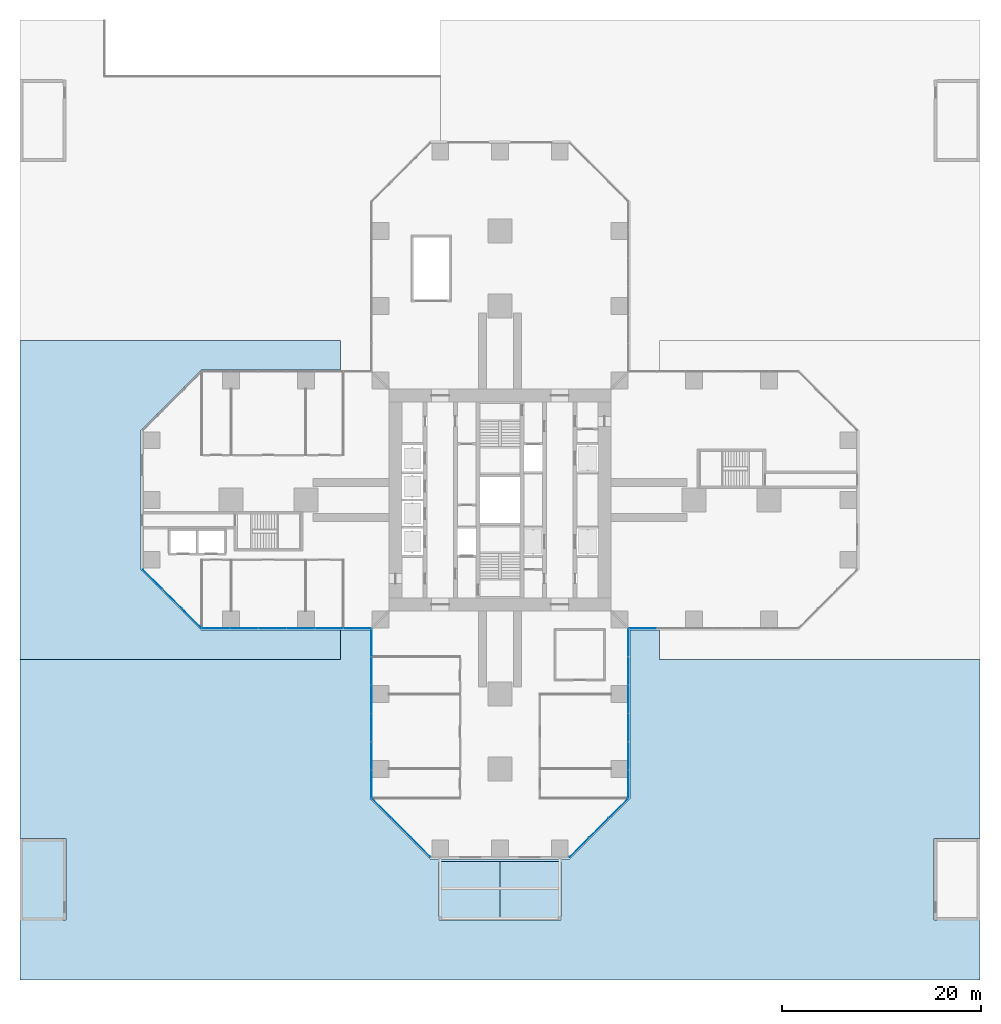
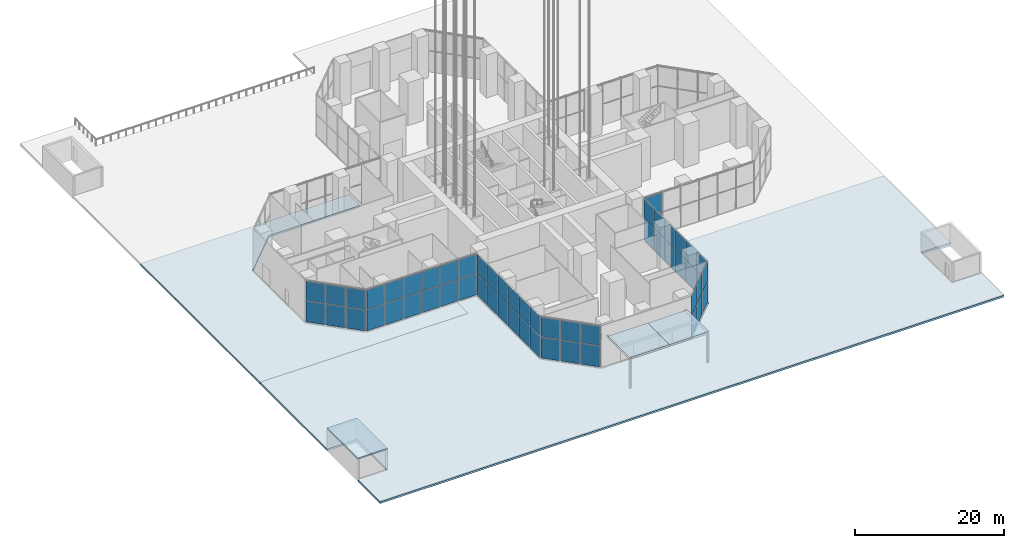
# One storey, part 13 of 43: 58 plates, 3 slabs, 7 elements without a shape of their own.
"""IFC4 building model written with IfcOpenShell, lengths in metres."""

import ifcopenshell
import ifcopenshell.guid

model = None  # the IFC model being written
_history = None  # IfcOwnerHistory: only IFC2X3 demands one
_inside = {}  # id of a spatial element -> (the spatial element, [elements in it])
_under = {}  # id of a project, library or spatial element -> (it, [spatial elements below it])
_declared = {}  # id of a project -> (the project, [libraries it declares])
_typed = {}  # id of a type object -> (the type object, [elements of that type])
_made_of = {}  # id of a material, layer set ... -> (it, [elements and type objects made of it])


def new_model(schema):
    """Start an empty IFC model of exactly this schema.

    Asked for "IFC4X3", IfcOpenShell would pick the latest addendum, in which some entities
    have other attributes; the version numbers below select the first issue.
    IFC2X3 requires an IfcOwnerHistory on every rooted entity: one is made here for all.
    """
    global model, _history
    if schema == "IFC4X3":
        model = ifcopenshell.file(schema_version=(4, 3, 0, 0))
    else:
        model = ifcopenshell.file(schema=schema)
    _inside.clear()
    _under.clear()
    _declared.clear()
    _typed.clear()
    _made_of.clear()
    _history = None
    if model.schema == "IFC2X3":
        org = make("IfcOrganization", Name="unknown")
        user = make(
            "IfcPersonAndOrganization",
            ThePerson=make("IfcPerson", FamilyName="unknown"),
            TheOrganization=org,
        )
        app = make(
            "IfcApplication",
            ApplicationDeveloper=org,
            Version="unknown",
            ApplicationFullName="unknown",
            ApplicationIdentifier="unknown",
        )
        _history = make(
            "IfcOwnerHistory",
            OwningUser=user,
            OwningApplication=app,
            ChangeAction="ADDED",
            CreationDate=0,
        )
    return model


def make(cls, **values):
    """One entity of the class cls with the attributes given. An attribute that is None is left unset."""
    return model.create_entity(
        cls, **{name: value for name, value in values.items() if value is not None}
    )


def rooted(cls, **values):
    """An entity with a GlobalId (a new one), such as an element, a storey or a relation."""
    return make(cls, GlobalId=ifcopenshell.guid.new(), OwnerHistory=_history, **values)


def si_unit(unit_type, name, prefix=None):
    """IfcSIUnit, for example si_unit("LENGTHUNIT", "METRE", prefix="MILLI")."""
    return make("IfcSIUnit", UnitType=unit_type, Prefix=prefix, Name=name)


def assignment(units):
    """IfcUnitAssignment: the units of a project."""
    return None if units is None else make("IfcUnitAssignment", Units=units)


def point(xyz):
    """IfcCartesianPoint."""
    return None if xyz is None else make("IfcCartesianPoint", Coordinates=xyz)


def direction(xyz):
    """IfcDirection."""
    return None if xyz is None else make("IfcDirection", DirectionRatios=xyz)


def frame(location, z_axis=None, x_axis=None):
    """IfcAxis2Placement3D, a coordinate frame: its origin and axes. An axis left out is left unset."""
    return make(
        "IfcAxis2Placement3D",
        Location=point(location),
        Axis=direction(z_axis),
        RefDirection=direction(x_axis),
    )


def frame_2d(location, x_axis=None):
    """IfcAxis2Placement2D, a coordinate frame in the plane: its origin and x axis."""
    return make(
        "IfcAxis2Placement2D", Location=point(location), RefDirection=direction(x_axis)
    )


def origin():
    """The frame at (0, 0, 0) with its axes left unset."""
    return frame((0.0, 0.0, 0.0))


def origin_2d():
    """The frame at (0, 0) in the plane with its x axis left unset."""
    return frame_2d((0.0, 0.0))


def place(relative_to, where):
    """IfcLocalPlacement: puts the frame where relative to a parent placement (None: the world)."""
    return make(
        "IfcLocalPlacement", PlacementRelTo=relative_to, RelativePlacement=where
    )


def context(
    kind, dimensions, precision=None, world=None, true_north=None, identifier=None
):
    """IfcGeometricRepresentationContext, for example the 3D "Model" context."""
    return make(
        "IfcGeometricRepresentationContext",
        ContextIdentifier=identifier,
        ContextType=kind,
        CoordinateSpaceDimension=dimensions,
        Precision=precision,
        WorldCoordinateSystem=world,
        TrueNorth=true_north,
    )


def subcontext(parent, identifier, kind, view, scale=None):
    """IfcGeometricRepresentationSubContext, for example "Body" below "Model"."""
    return make(
        "IfcGeometricRepresentationSubContext",
        ContextIdentifier=identifier,
        ContextType=kind,
        ParentContext=parent,
        TargetScale=scale,
        TargetView=view,
    )


def project(units=None, contexts=None):
    """IfcProject with its units and contexts."""
    return rooted(
        "IfcProject",
        Name="project",
        RepresentationContexts=contexts,
        UnitsInContext=assignment(units),
    )


def spatial(cls, under=None, at=None, **own):
    """A site, building, storey or space (cls), placed at a placement, below another one or the project."""
    s = rooted(cls, ObjectPlacement=at, **own)
    if under is not None:
        _under.setdefault(under.id(), (under, []))[1].append(s)
    return s


def polyline(points):
    """IfcPolyline through the points."""
    return make("IfcPolyline", Points=[point(p) for p in points])


def profile(cls, at=None, kind="AREA", **sizes):
    """A parametric profile (cls). Its sizes go by their IFC names, for example OverallWidth=200.0."""
    return make(cls, ProfileType=kind, Position=at, **sizes)


def rectangle(**sizes):
    """IfcRectangleProfileDef."""
    return profile("IfcRectangleProfileDef", **sizes)


def outline(outer, holes=None, kind="AREA"):
    """IfcArbitraryClosedProfileDef: a profile drawn as a closed curve; with holes, ...WithVoids."""
    if holes is None:
        return make("IfcArbitraryClosedProfileDef", ProfileType=kind, OuterCurve=outer)
    return make(
        "IfcArbitraryProfileDefWithVoids",
        ProfileType=kind,
        OuterCurve=outer,
        InnerCurves=holes,
    )


def extrude(swept, where, along, depth):
    """IfcExtrudedAreaSolid: the profile swept, set in the frame where, extruded along a direction by depth."""
    return make(
        "IfcExtrudedAreaSolid",
        SweptArea=swept,
        Position=where,
        ExtrudedDirection=direction(along),
        Depth=depth,
    )


def shape(context_of_items, identifier, shape_type, items):
    """IfcShapeRepresentation: the items that make up one representation, for example the "Body"."""
    return make(
        "IfcShapeRepresentation",
        ContextOfItems=context_of_items,
        RepresentationIdentifier=identifier,
        RepresentationType=shape_type,
        Items=items,
    )


def material(Name=None, Category=None):
    """IfcMaterial."""
    return make("IfcMaterial", Name=Name, Category=Category)


def layer(
    of_material, thickness, ventilated=None, Name=None, Category=None, Priority=None
):
    """IfcMaterialLayer: one layer of a wall or slab, of a material (None: an air gap)."""
    return make(
        "IfcMaterialLayer",
        Material=of_material,
        LayerThickness=thickness,
        IsVentilated=ventilated,
        Name=Name,
        Category=Category,
        Priority=Priority,
    )


def layer_set(layers, Name=None):
    """IfcMaterialLayerSet."""
    return make("IfcMaterialLayerSet", MaterialLayers=layers, LayerSetName=Name)


def made_of(thing, what):
    """Note that an element or type object is made of a material, layer set ...; save() writes the relation."""
    if what is not None:
        _made_of.setdefault(what.id(), (what, []))[1].append(thing)
    return thing


def type_object(cls, material=None, **own):
    """A type object (cls), such as IfcWallType, which elements share."""
    return made_of(rooted(cls, **own), material)


def element(
    cls,
    number,
    at=None,
    inside=None,
    cuts=None,
    type_object=None,
    material=None,
    context=None,
    identifier="Body",
    shape_type=None,
    held_by="IfcProductDefinitionShape",
    body=None,
    shapes=None,
    **own,
):
    """One element of the class cls, such as IfcWall. Its Tag is "e" and its number.

    at: its placement. inside: the storey or other place that contains it. cuts: it is an
    opening in that element (IfcRelVoidsElement). A single representation is given by context,
    identifier, shape_type and body (its items); several are given by shapes. held_by: the class
    of the entity that holds the representations. save() writes the other relations.
    """
    e = rooted(cls, Tag="e%d" % number, ObjectPlacement=at, **own)
    if body is not None:
        shapes = [shape(context, identifier, shape_type, body)]
    if shapes is not None:
        e.Representation = make(held_by, Representations=shapes)
    if inside is not None:
        _inside.setdefault(inside.id(), (inside, []))[1].append(e)
    if cuts is not None:
        rooted(
            "IfcRelVoidsElement", RelatingBuildingElement=cuts, RelatedOpeningElement=e
        )
    if type_object is not None:
        _typed.setdefault(type_object.id(), (type_object, []))[1].append(e)
    return made_of(e, material)


def aggregate(whole, parts):
    """IfcRelAggregates: a whole, such as a stair, and the parts it consists of."""
    return rooted("IfcRelAggregates", RelatingObject=whole, RelatedObjects=parts)


def save(model, path):
    """Write the relations noted so far, then the file.

    IfcRelAggregates (storeys below a building ...), IfcRelContainedInSpatialStructure (elements
    in a storey), IfcRelDefinesByType, IfcRelAssociatesMaterial and IfcRelDeclares: one each for
    every whole, place, type object, material and project.
    """
    for whole, parts in _under.values():
        aggregate(whole, parts)
    for where, things in _inside.values():
        rooted(
            "IfcRelContainedInSpatialStructure",
            RelatedElements=things,
            RelatingStructure=where,
        )
    for kind, things in _typed.values():
        rooted("IfcRelDefinesByType", RelatedObjects=things, RelatingType=kind)
    for what, things in _made_of.values():
        rooted("IfcRelAssociatesMaterial", RelatedObjects=things, RelatingMaterial=what)
    for by, libraries in _declared.values():
        rooted("IfcRelDeclares", RelatingContext=by, RelatedDefinitions=libraries)
    model.write(path)


model = new_model("IFC4")

# Units and contexts
model_context = context("Model", 3, precision=1e-05, world=origin(), true_north=direction((0.0, 1.0)))
body_context = subcontext(model_context, "Body", "Model", "MODEL_VIEW")
ifc_project = project(units=[si_unit("LENGTHUNIT", "METRE"), si_unit("AREAUNIT", "SQUARE_METRE"), si_unit("VOLUMEUNIT", "CUBIC_METRE"), si_unit("PLANEANGLEUNIT", "RADIAN"), si_unit("MASSUNIT", "GRAM", prefix="KILO")], contexts=[model_context])

# Site, building, storey
site_placement = place(None, origin())
site = spatial("IfcSite", under=ifc_project, at=site_placement, CompositionType="ELEMENT")
building_placement = place(site_placement, origin())
building = spatial("IfcBuilding", under=site, at=building_placement, Name="Mizan Broadcast Tower", CompositionType="ELEMENT")
storey_placement = place(building_placement, origin())
storey = spatial("IfcBuildingStorey", under=building, at=storey_placement, Name="L00", CompositionType="ELEMENT", Elevation=0.0)

# Plates
ifc_material_1 = material(Name="Laminated glass", Category="glass")
ifc_layer_1 = layer(ifc_material_1, 0.030029296875)
ifc_layer_set_1 = layer_set([ifc_layer_1], Name="Laminated glass")
plate_type_1 = type_object("IfcPlateType", Name="CANOPY GLASS", PredefinedType="USERDEFINED", material=ifc_layer_set_1)
for number, where, z_axis, x_axis, name in (
    (1, (-3.074951171875, -39.22509765625, 5.0), (0.0, 0.0, 1.0), (1.0, 0.0, 0.0), "Canopy glass 1"),
    (2, (3.074951171875, -39.22509765625, 5.0), (0.0, 0.0, 1.0), (1.0, 0.0, 0.0), "Canopy glass 2"),
):
    element("IfcPlate", number, at=place(storey_placement, frame(where, z_axis=z_axis, x_axis=x_axis)), inside=storey, type_object=plate_type_1, Name=name, ObjectType="CANOPY", PredefinedType="USERDEFINED", context=body_context, shape_type="SweptSolid", body=[
        extrude(rectangle(XDim=6.14990234375, YDim=5.85009765625, at=origin_2d()), origin(), (0.0, 0.0, 1.0), 0.030029296875),
    ])

# Curtain wall, plates
ifc_material_2 = material(Name="Aluminium framed glazing", Category="aluminium")
curtain_wall_type_1 = type_object("IfcCurtainWallType", Name="PODIUM CURTAIN WALL", PredefinedType="USERDEFINED", material=ifc_material_2)
curtain_wall_1_placement = place(storey_placement, origin())
curtain_wall_1 = element("IfcCurtainWall", 3, at=curtain_wall_1_placement, inside=storey, type_object=curtain_wall_type_1, Name="Podium curtain wall L00 E side", ObjectType="PODIUM CURTAIN WALL", PredefinedType="USERDEFINED")
ifc_material_3 = material(Name="Double glazing, clear laminated", Category="glass")
ifc_layer_2 = layer(ifc_material_3, 0.031982421875)
ifc_layer_set_2 = layer_set([ifc_layer_2], Name="Double glazing, clear laminated")
plate_type_2 = type_object("IfcPlateType", Name="PODIUM GLAZING UNIT", PredefinedType="CURTAIN_PANEL", material=ifc_layer_set_2)
plate_1_placement = place(storey_placement, frame((14.336669921875, -12.89990234375, 0.0), z_axis=(0.0, 0.0, 1.0), x_axis=(1.0, 0.0, 0.0)))
plate_1 = element("IfcPlate", 4, at=plate_1_placement, type_object=plate_type_2, Name="Podium curtain wall L00 E side panel 1.1", PredefinedType="CURTAIN_PANEL", context=body_context, shape_type="SweptSolid", body=[
    extrude(rectangle(XDim=2.753173828125, YDim=0.031982421875, at=origin_2d()), origin(), (0.0, 0.0, 1.0), 3.469970703125),
])
plate_2_placement = place(storey_placement, frame((14.336669921875, -12.89990234375, 3.5302734375), z_axis=(0.0, 0.0, 1.0), x_axis=(1.0, 0.0, 0.0)))
plate_2 = element("IfcPlate", 5, at=plate_2_placement, type_object=plate_type_2, Name="Podium curtain wall L00 E side panel 1.2", PredefinedType="CURTAIN_PANEL", context=body_context, shape_type="SweptSolid", body=[
    extrude(rectangle(XDim=2.753173828125, YDim=0.031982421875, at=origin_2d()), origin(), (0.0, 0.0, 1.0), 3.159912109375),
])
aggregate(curtain_wall_1, [plate_1, plate_2])

curtain_wall_2_placement = place(storey_placement, origin())
curtain_wall_2 = element("IfcCurtainWall", 6, at=curtain_wall_2_placement, inside=storey, type_object=curtain_wall_type_1, Name="Podium curtain wall L00 W chamfer", ObjectType="PODIUM CURTAIN WALL", PredefinedType="USERDEFINED")
plate_3_placement = place(storey_placement, frame((-34.899169921875, -7.95947265625, 0.0), z_axis=(0.0, 0.0, 1.0), x_axis=(0.707106781187, -0.707106781187, 0.0)))
plate_3 = element("IfcPlate", 7, at=plate_3_placement, type_object=plate_type_2, Name="Podium curtain wall L00 W chamfer panel 1.1", PredefinedType="CURTAIN_PANEL", context=body_context, shape_type="SweptSolid", body=[
    extrude(rectangle(XDim=2.710693359375, YDim=0.031982421875, at=origin_2d()), origin(), (0.0, 0.0, 1.0), 3.469970703125),
])
plate_4_placement = place(storey_placement, frame((-34.899169921875, -7.95947265625, 3.5302734375), z_axis=(0.0, 0.0, 1.0), x_axis=(0.707106781187, -0.707106781187, 0.0)))
plate_4 = element("IfcPlate", 8, at=plate_4_placement, type_object=plate_type_2, Name="Podium curtain wall L00 W chamfer panel 1.2", PredefinedType="CURTAIN_PANEL", context=body_context, shape_type="SweptSolid", body=[
    extrude(rectangle(XDim=2.710693359375, YDim=0.031982421875, at=origin_2d()), origin(), (0.0, 0.0, 1.0), 3.159912109375),
])
plate_5_placement = place(storey_placement, frame((-32.92919921875, -9.92919921875, 0.0), z_axis=(0.0, 0.0, 1.0), x_axis=(0.707106781187, -0.707106781187, 0.0)))
plate_5 = element("IfcPlate", 9, at=plate_5_placement, type_object=plate_type_2, Name="Podium curtain wall L00 W chamfer panel 2.1", PredefinedType="CURTAIN_PANEL", context=body_context, shape_type="SweptSolid", body=[
    extrude(rectangle(XDim=2.74072265625, YDim=0.031982421875, at=origin_2d()), origin(), (0.0, 0.0, 1.0), 3.469970703125),
])
plate_6_placement = place(storey_placement, frame((-32.92919921875, -9.92919921875, 3.5302734375), z_axis=(0.0, 0.0, 1.0), x_axis=(0.707106781187, -0.707106781187, 0.0)))
plate_6 = element("IfcPlate", 10, at=plate_6_placement, type_object=plate_type_2, Name="Podium curtain wall L00 W chamfer panel 2.2", PredefinedType="CURTAIN_PANEL", context=body_context, shape_type="SweptSolid", body=[
    extrude(rectangle(XDim=2.74072265625, YDim=0.031982421875, at=origin_2d()), origin(), (0.0, 0.0, 1.0), 3.159912109375),
])
plate_7_placement = place(storey_placement, frame((-30.95947265625, -11.899169921875, 0.0), z_axis=(0.0, 0.0, 1.0), x_axis=(0.707106781187, -0.707106781187, 0.0)))
plate_7 = element("IfcPlate", 11, at=plate_7_placement, type_object=plate_type_2, Name="Podium curtain wall L00 W chamfer panel 3.1", PredefinedType="CURTAIN_PANEL", context=body_context, shape_type="SweptSolid", body=[
    extrude(rectangle(XDim=2.710693359375, YDim=0.031982421875, at=origin_2d()), origin(), (0.0, 0.0, 1.0), 3.469970703125),
])
plate_8_placement = place(storey_placement, frame((-30.95947265625, -11.899169921875, 3.5302734375), z_axis=(0.0, 0.0, 1.0), x_axis=(0.707106781187, -0.707106781187, 0.0)))
plate_8 = element("IfcPlate", 12, at=plate_8_placement, type_object=plate_type_2, Name="Podium curtain wall L00 W chamfer panel 3.2", PredefinedType="CURTAIN_PANEL", context=body_context, shape_type="SweptSolid", body=[
    extrude(rectangle(XDim=2.710693359375, YDim=0.031982421875, at=origin_2d()), origin(), (0.0, 0.0, 1.0), 3.159912109375),
])
aggregate(curtain_wall_2, [plate_3, plate_4, plate_5, plate_6, plate_7, plate_8])

curtain_wall_3_placement = place(storey_placement, origin())
curtain_wall_3 = element("IfcCurtainWall", 13, at=curtain_wall_3_placement, inside=storey, type_object=curtain_wall_type_1, Name="Podium curtain wall L00 W side", ObjectType="PODIUM CURTAIN WALL", PredefinedType="USERDEFINED")
plate_9_placement = place(storey_placement, frame((-28.52197265625, -12.89990234375, 0.0), z_axis=(0.0, 0.0, 1.0), x_axis=(1.0, 0.0, 0.0)))
plate_9 = element("IfcPlate", 14, at=plate_9_placement, type_object=plate_type_2, Name="Podium curtain wall L00 W side panel 1.1", PredefinedType="CURTAIN_PANEL", context=body_context, shape_type="SweptSolid", body=[
    extrude(rectangle(XDim=2.753173828125, YDim=0.031982421875, at=origin_2d()), origin(), (0.0, 0.0, 1.0), 3.469970703125),
])
plate_10_placement = place(storey_placement, frame((-28.52197265625, -12.89990234375, 3.5302734375), z_axis=(0.0, 0.0, 1.0), x_axis=(1.0, 0.0, 0.0)))
plate_10 = element("IfcPlate", 15, at=plate_10_placement, type_object=plate_type_2, Name="Podium curtain wall L00 W side panel 1.2", PredefinedType="CURTAIN_PANEL", context=body_context, shape_type="SweptSolid", body=[
    extrude(rectangle(XDim=2.753173828125, YDim=0.031982421875, at=origin_2d()), origin(), (0.0, 0.0, 1.0), 3.159912109375),
])
plate_11_placement = place(storey_placement, frame((-25.69384765625, -12.89990234375, 0.0), z_axis=(0.0, 0.0, 1.0), x_axis=(1.0, 0.0, 0.0)))
plate_11 = element("IfcPlate", 16, at=plate_11_placement, type_object=plate_type_2, Name="Podium curtain wall L00 W side panel 2.1", PredefinedType="CURTAIN_PANEL", context=body_context, shape_type="SweptSolid", body=[
    extrude(rectangle(XDim=2.783203125, YDim=0.031982421875, at=origin_2d()), origin(), (0.0, 0.0, 1.0), 3.469970703125),
])
plate_12_placement = place(storey_placement, frame((-25.69384765625, -12.89990234375, 3.5302734375), z_axis=(0.0, 0.0, 1.0), x_axis=(1.0, 0.0, 0.0)))
plate_12 = element("IfcPlate", 17, at=plate_12_placement, type_object=plate_type_2, Name="Podium curtain wall L00 W side panel 2.2", PredefinedType="CURTAIN_PANEL", context=body_context, shape_type="SweptSolid", body=[
    extrude(rectangle(XDim=2.783203125, YDim=0.031982421875, at=origin_2d()), origin(), (0.0, 0.0, 1.0), 3.159912109375),
])
plate_13_placement = place(storey_placement, frame((-22.850830078125, -12.89990234375, 0.0), z_axis=(0.0, 0.0, 1.0), x_axis=(1.0, 0.0, 0.0)))
plate_13 = element("IfcPlate", 18, at=plate_13_placement, type_object=plate_type_2, Name="Podium curtain wall L00 W side panel 3.1", PredefinedType="CURTAIN_PANEL", context=body_context, shape_type="SweptSolid", body=[
    extrude(rectangle(XDim=2.783203125, YDim=0.031982421875, at=origin_2d()), origin(), (0.0, 0.0, 1.0), 3.469970703125),
])
plate_14_placement = place(storey_placement, frame((-22.850830078125, -12.89990234375, 3.5302734375), z_axis=(0.0, 0.0, 1.0), x_axis=(1.0, 0.0, 0.0)))
plate_14 = element("IfcPlate", 19, at=plate_14_placement, type_object=plate_type_2, Name="Podium curtain wall L00 W side panel 3.2", PredefinedType="CURTAIN_PANEL", context=body_context, shape_type="SweptSolid", body=[
    extrude(rectangle(XDim=2.783203125, YDim=0.031982421875, at=origin_2d()), origin(), (0.0, 0.0, 1.0), 3.159912109375),
])
plate_15_placement = place(storey_placement, frame((-20.0078125, -12.89990234375, 0.0), z_axis=(0.0, 0.0, 1.0), x_axis=(1.0, 0.0, 0.0)))
plate_15 = element("IfcPlate", 20, at=plate_15_placement, type_object=plate_type_2, Name="Podium curtain wall L00 W side panel 4.1", PredefinedType="CURTAIN_PANEL", context=body_context, shape_type="SweptSolid", body=[
    extrude(rectangle(XDim=2.783203125, YDim=0.031982421875, at=origin_2d()), origin(), (0.0, 0.0, 1.0), 3.469970703125),
])
plate_16_placement = place(storey_placement, frame((-20.0078125, -12.89990234375, 3.5302734375), z_axis=(0.0, 0.0, 1.0), x_axis=(1.0, 0.0, 0.0)))
plate_16 = element("IfcPlate", 21, at=plate_16_placement, type_object=plate_type_2, Name="Podium curtain wall L00 W side panel 4.2", PredefinedType="CURTAIN_PANEL", context=body_context, shape_type="SweptSolid", body=[
    extrude(rectangle(XDim=2.783203125, YDim=0.031982421875, at=origin_2d()), origin(), (0.0, 0.0, 1.0), 3.159912109375),
])
plate_17_placement = place(storey_placement, frame((-17.16455078125, -12.89990234375, 0.0), z_axis=(0.0, 0.0, 1.0), x_axis=(1.0, 0.0, 0.0)))
plate_17 = element("IfcPlate", 22, at=plate_17_placement, type_object=plate_type_2, Name="Podium curtain wall L00 W side panel 5.1", PredefinedType="CURTAIN_PANEL", context=body_context, shape_type="SweptSolid", body=[
    extrude(rectangle(XDim=2.783203125, YDim=0.031982421875, at=origin_2d()), origin(), (0.0, 0.0, 1.0), 3.469970703125),
])
plate_18_placement = place(storey_placement, frame((-17.16455078125, -12.89990234375, 3.5302734375), z_axis=(0.0, 0.0, 1.0), x_axis=(1.0, 0.0, 0.0)))
plate_18 = element("IfcPlate", 23, at=plate_18_placement, type_object=plate_type_2, Name="Podium curtain wall L00 W side panel 5.2", PredefinedType="CURTAIN_PANEL", context=body_context, shape_type="SweptSolid", body=[
    extrude(rectangle(XDim=2.783203125, YDim=0.031982421875, at=origin_2d()), origin(), (0.0, 0.0, 1.0), 3.159912109375),
])
plate_19_placement = place(storey_placement, frame((-14.336669921875, -12.89990234375, 0.0), z_axis=(0.0, 0.0, 1.0), x_axis=(1.0, 0.0, 0.0)))
plate_19 = element("IfcPlate", 24, at=plate_19_placement, type_object=plate_type_2, Name="Podium curtain wall L00 W side panel 6.1", PredefinedType="CURTAIN_PANEL", context=body_context, shape_type="SweptSolid", body=[
    extrude(rectangle(XDim=2.753173828125, YDim=0.031982421875, at=origin_2d()), origin(), (0.0, 0.0, 1.0), 3.469970703125),
])
plate_20_placement = place(storey_placement, frame((-14.336669921875, -12.89990234375, 3.5302734375), z_axis=(0.0, 0.0, 1.0), x_axis=(1.0, 0.0, 0.0)))
plate_20 = element("IfcPlate", 25, at=plate_20_placement, type_object=plate_type_2, Name="Podium curtain wall L00 W side panel 6.2", PredefinedType="CURTAIN_PANEL", context=body_context, shape_type="SweptSolid", body=[
    extrude(rectangle(XDim=2.753173828125, YDim=0.031982421875, at=origin_2d()), origin(), (0.0, 0.0, 1.0), 3.159912109375),
])
aggregate(curtain_wall_3, [plate_9, plate_10, plate_11, plate_12, plate_13, plate_14, plate_15, plate_16, plate_17, plate_18, plate_19, plate_20])

ifc_material_4 = material(Name="Aluminium framed glazing", Category="aluminium")
curtain_wall_type_2 = type_object("IfcCurtainWallType", Name="ENTRANCE CW", PredefinedType="USERDEFINED", material=ifc_material_4)
curtain_wall_4_placement = place(storey_placement, origin())
curtain_wall_4 = element("IfcCurtainWall", 26, at=curtain_wall_4_placement, inside=storey, type_object=curtain_wall_type_2, Name="Entrance cw L00 S side", ObjectType="ENTRANCE CW", PredefinedType="USERDEFINED")
plate_21_placement = place(storey_placement, frame((-12.89990234375, -14.336669921875, 0.0), z_axis=(0.0, 0.0, 1.0), x_axis=(0.0, -1.0, 0.0)))
plate_21 = element("IfcPlate", 27, at=plate_21_placement, type_object=plate_type_2, Name="Entrance cw L00 S side panel 1.1", PredefinedType="CURTAIN_PANEL", context=body_context, shape_type="SweptSolid", body=[
    extrude(rectangle(XDim=2.753173828125, YDim=0.031982421875, at=origin_2d()), origin(), (0.0, 0.0, 1.0), 3.469970703125),
])
plate_22_placement = place(storey_placement, frame((-12.89990234375, -14.336669921875, 3.5302734375), z_axis=(0.0, 0.0, 1.0), x_axis=(0.0, -1.0, 0.0)))
plate_22 = element("IfcPlate", 28, at=plate_22_placement, type_object=plate_type_2, Name="Entrance cw L00 S side panel 1.2", PredefinedType="CURTAIN_PANEL", context=body_context, shape_type="SweptSolid", body=[
    extrude(rectangle(XDim=2.753173828125, YDim=0.031982421875, at=origin_2d()), origin(), (0.0, 0.0, 1.0), 3.159912109375),
])
plate_23_placement = place(storey_placement, frame((-12.89990234375, -17.16455078125, 0.0), z_axis=(0.0, 0.0, 1.0), x_axis=(0.0, -1.0, 0.0)))
plate_23 = element("IfcPlate", 29, at=plate_23_placement, type_object=plate_type_2, Name="Entrance cw L00 S side panel 2.1", PredefinedType="CURTAIN_PANEL", context=body_context, shape_type="SweptSolid", body=[
    extrude(rectangle(XDim=2.783203125, YDim=0.031982421875, at=origin_2d()), origin(), (0.0, 0.0, 1.0), 3.469970703125),
])
plate_24_placement = place(storey_placement, frame((-12.89990234375, -17.16455078125, 3.5302734375), z_axis=(0.0, 0.0, 1.0), x_axis=(0.0, -1.0, 0.0)))
plate_24 = element("IfcPlate", 30, at=plate_24_placement, type_object=plate_type_2, Name="Entrance cw L00 S side panel 2.2", PredefinedType="CURTAIN_PANEL", context=body_context, shape_type="SweptSolid", body=[
    extrude(rectangle(XDim=2.783203125, YDim=0.031982421875, at=origin_2d()), origin(), (0.0, 0.0, 1.0), 3.159912109375),
])
plate_25_placement = place(storey_placement, frame((-12.89990234375, -20.0078125, 0.0), z_axis=(0.0, 0.0, 1.0), x_axis=(0.0, -1.0, 0.0)))
plate_25 = element("IfcPlate", 31, at=plate_25_placement, type_object=plate_type_2, Name="Entrance cw L00 S side panel 3.1", PredefinedType="CURTAIN_PANEL", context=body_context, shape_type="SweptSolid", body=[
    extrude(rectangle(XDim=2.783203125, YDim=0.031982421875, at=origin_2d()), origin(), (0.0, 0.0, 1.0), 3.469970703125),
])
plate_26_placement = place(storey_placement, frame((-12.89990234375, -20.0078125, 3.5302734375), z_axis=(0.0, 0.0, 1.0), x_axis=(0.0, -1.0, 0.0)))
plate_26 = element("IfcPlate", 32, at=plate_26_placement, type_object=plate_type_2, Name="Entrance cw L00 S side panel 3.2", PredefinedType="CURTAIN_PANEL", context=body_context, shape_type="SweptSolid", body=[
    extrude(rectangle(XDim=2.783203125, YDim=0.031982421875, at=origin_2d()), origin(), (0.0, 0.0, 1.0), 3.159912109375),
])
plate_27_placement = place(storey_placement, frame((-12.89990234375, -22.850830078125, 0.0), z_axis=(0.0, 0.0, 1.0), x_axis=(0.0, -1.0, 0.0)))
plate_27 = element("IfcPlate", 33, at=plate_27_placement, type_object=plate_type_2, Name="Entrance cw L00 S side panel 4.1", PredefinedType="CURTAIN_PANEL", context=body_context, shape_type="SweptSolid", body=[
    extrude(rectangle(XDim=2.783203125, YDim=0.031982421875, at=origin_2d()), origin(), (0.0, 0.0, 1.0), 3.469970703125),
])
plate_28_placement = place(storey_placement, frame((-12.89990234375, -22.850830078125, 3.5302734375), z_axis=(0.0, 0.0, 1.0), x_axis=(0.0, -1.0, 0.0)))
plate_28 = element("IfcPlate", 34, at=plate_28_placement, type_object=plate_type_2, Name="Entrance cw L00 S side panel 4.2", PredefinedType="CURTAIN_PANEL", context=body_context, shape_type="SweptSolid", body=[
    extrude(rectangle(XDim=2.783203125, YDim=0.031982421875, at=origin_2d()), origin(), (0.0, 0.0, 1.0), 3.159912109375),
])
plate_29_placement = place(storey_placement, frame((-12.89990234375, -25.69384765625, 0.0), z_axis=(0.0, 0.0, 1.0), x_axis=(0.0, -1.0, 0.0)))
plate_29 = element("IfcPlate", 35, at=plate_29_placement, type_object=plate_type_2, Name="Entrance cw L00 S side panel 5.1", PredefinedType="CURTAIN_PANEL", context=body_context, shape_type="SweptSolid", body=[
    extrude(rectangle(XDim=2.783203125, YDim=0.031982421875, at=origin_2d()), origin(), (0.0, 0.0, 1.0), 3.469970703125),
])
plate_30_placement = place(storey_placement, frame((-12.89990234375, -25.69384765625, 3.5302734375), z_axis=(0.0, 0.0, 1.0), x_axis=(0.0, -1.0, 0.0)))
plate_30 = element("IfcPlate", 36, at=plate_30_placement, type_object=plate_type_2, Name="Entrance cw L00 S side panel 5.2", PredefinedType="CURTAIN_PANEL", context=body_context, shape_type="SweptSolid", body=[
    extrude(rectangle(XDim=2.783203125, YDim=0.031982421875, at=origin_2d()), origin(), (0.0, 0.0, 1.0), 3.159912109375),
])
plate_31_placement = place(storey_placement, frame((-12.89990234375, -28.52197265625, 0.0), z_axis=(0.0, 0.0, 1.0), x_axis=(0.0, -1.0, 0.0)))
plate_31 = element("IfcPlate", 37, at=plate_31_placement, type_object=plate_type_2, Name="Entrance cw L00 S side panel 6.1", PredefinedType="CURTAIN_PANEL", context=body_context, shape_type="SweptSolid", body=[
    extrude(rectangle(XDim=2.753173828125, YDim=0.031982421875, at=origin_2d()), origin(), (0.0, 0.0, 1.0), 3.469970703125),
])
plate_32_placement = place(storey_placement, frame((-12.89990234375, -28.52197265625, 3.5302734375), z_axis=(0.0, 0.0, 1.0), x_axis=(0.0, -1.0, 0.0)))
plate_32 = element("IfcPlate", 38, at=plate_32_placement, type_object=plate_type_2, Name="Entrance cw L00 S side panel 6.2", PredefinedType="CURTAIN_PANEL", context=body_context, shape_type="SweptSolid", body=[
    extrude(rectangle(XDim=2.753173828125, YDim=0.031982421875, at=origin_2d()), origin(), (0.0, 0.0, 1.0), 3.159912109375),
])
aggregate(curtain_wall_4, [plate_21, plate_22, plate_23, plate_24, plate_25, plate_26, plate_27, plate_28, plate_29, plate_30, plate_31, plate_32])

curtain_wall_5_placement = place(storey_placement, origin())
curtain_wall_5 = element("IfcCurtainWall", 39, at=curtain_wall_5_placement, inside=storey, type_object=curtain_wall_type_2, Name="Entrance cw L00 S chamfer", ObjectType="ENTRANCE CW", PredefinedType="USERDEFINED")
plate_33_placement = place(storey_placement, frame((-11.899169921875, -30.95947265625, 0.0), z_axis=(0.0, 0.0, 1.0), x_axis=(0.707106781187, -0.707106781187, 0.0)))
plate_33 = element("IfcPlate", 40, at=plate_33_placement, type_object=plate_type_2, Name="Entrance cw L00 S chamfer panel 1.1", PredefinedType="CURTAIN_PANEL", context=body_context, shape_type="SweptSolid", body=[
    extrude(rectangle(XDim=2.710693359375, YDim=0.031982421875, at=origin_2d()), origin(), (0.0, 0.0, 1.0), 3.469970703125),
])
plate_34_placement = place(storey_placement, frame((-11.899169921875, -30.95947265625, 3.5302734375), z_axis=(0.0, 0.0, 1.0), x_axis=(0.707106781187, -0.707106781187, 0.0)))
plate_34 = element("IfcPlate", 41, at=plate_34_placement, type_object=plate_type_2, Name="Entrance cw L00 S chamfer panel 1.2", PredefinedType="CURTAIN_PANEL", context=body_context, shape_type="SweptSolid", body=[
    extrude(rectangle(XDim=2.710693359375, YDim=0.031982421875, at=origin_2d()), origin(), (0.0, 0.0, 1.0), 3.159912109375),
])
plate_35_placement = place(storey_placement, frame((-9.92919921875, -32.92919921875, 0.0), z_axis=(0.0, 0.0, 1.0), x_axis=(0.707106781187, -0.707106781187, 0.0)))
plate_35 = element("IfcPlate", 42, at=plate_35_placement, type_object=plate_type_2, Name="Entrance cw L00 S chamfer panel 2.1", PredefinedType="CURTAIN_PANEL", context=body_context, shape_type="SweptSolid", body=[
    extrude(rectangle(XDim=2.74072265625, YDim=0.031982421875, at=origin_2d()), origin(), (0.0, 0.0, 1.0), 3.469970703125),
])
plate_36_placement = place(storey_placement, frame((-9.92919921875, -32.92919921875, 3.5302734375), z_axis=(0.0, 0.0, 1.0), x_axis=(0.707106781187, -0.707106781187, 0.0)))
plate_36 = element("IfcPlate", 43, at=plate_36_placement, type_object=plate_type_2, Name="Entrance cw L00 S chamfer panel 2.2", PredefinedType="CURTAIN_PANEL", context=body_context, shape_type="SweptSolid", body=[
    extrude(rectangle(XDim=2.74072265625, YDim=0.031982421875, at=origin_2d()), origin(), (0.0, 0.0, 1.0), 3.159912109375),
])
plate_37_placement = place(storey_placement, frame((-7.95947265625, -34.899169921875, 0.0), z_axis=(0.0, 0.0, 1.0), x_axis=(0.707106781187, -0.707106781187, 0.0)))
plate_37 = element("IfcPlate", 44, at=plate_37_placement, type_object=plate_type_2, Name="Entrance cw L00 S chamfer panel 3.1", PredefinedType="CURTAIN_PANEL", context=body_context, shape_type="SweptSolid", body=[
    extrude(rectangle(XDim=2.710693359375, YDim=0.031982421875, at=origin_2d()), origin(), (0.0, 0.0, 1.0), 3.469970703125),
])
plate_38_placement = place(storey_placement, frame((-7.95947265625, -34.899169921875, 3.5302734375), z_axis=(0.0, 0.0, 1.0), x_axis=(0.707106781187, -0.707106781187, 0.0)))
plate_38 = element("IfcPlate", 45, at=plate_38_placement, type_object=plate_type_2, Name="Entrance cw L00 S chamfer panel 3.2", PredefinedType="CURTAIN_PANEL", context=body_context, shape_type="SweptSolid", body=[
    extrude(rectangle(XDim=2.710693359375, YDim=0.031982421875, at=origin_2d()), origin(), (0.0, 0.0, 1.0), 3.159912109375),
])
aggregate(curtain_wall_5, [plate_33, plate_34, plate_35, plate_36, plate_37, plate_38])

curtain_wall_6_placement = place(storey_placement, origin())
curtain_wall_6 = element("IfcCurtainWall", 46, at=curtain_wall_6_placement, inside=storey, type_object=curtain_wall_type_2, Name="Entrance cw L00 S chamfer", ObjectType="ENTRANCE CW", PredefinedType="USERDEFINED")
plate_39_placement = place(storey_placement, frame((7.95947265625, -34.899169921875, 0.0), z_axis=(0.0, 0.0, 1.0), x_axis=(0.707106781187, 0.707106781187, 0.0)))
plate_39 = element("IfcPlate", 47, at=plate_39_placement, type_object=plate_type_2, Name="Entrance cw L00 S chamfer panel 1.1", PredefinedType="CURTAIN_PANEL", context=body_context, shape_type="SweptSolid", body=[
    extrude(rectangle(XDim=2.710693359375, YDim=0.031982421875, at=origin_2d()), origin(), (0.0, 0.0, 1.0), 3.469970703125),
])
plate_40_placement = place(storey_placement, frame((7.95947265625, -34.899169921875, 3.5302734375), z_axis=(0.0, 0.0, 1.0), x_axis=(0.707106781187, 0.707106781187, 0.0)))
plate_40 = element("IfcPlate", 48, at=plate_40_placement, type_object=plate_type_2, Name="Entrance cw L00 S chamfer panel 1.2", PredefinedType="CURTAIN_PANEL", context=body_context, shape_type="SweptSolid", body=[
    extrude(rectangle(XDim=2.710693359375, YDim=0.031982421875, at=origin_2d()), origin(), (0.0, 0.0, 1.0), 3.159912109375),
])
plate_41_placement = place(storey_placement, frame((9.92919921875, -32.92919921875, 0.0), z_axis=(0.0, 0.0, 1.0), x_axis=(0.707106781187, 0.707106781187, 0.0)))
plate_41 = element("IfcPlate", 49, at=plate_41_placement, type_object=plate_type_2, Name="Entrance cw L00 S chamfer panel 2.1", PredefinedType="CURTAIN_PANEL", context=body_context, shape_type="SweptSolid", body=[
    extrude(rectangle(XDim=2.74072265625, YDim=0.031982421875, at=origin_2d()), origin(), (0.0, 0.0, 1.0), 3.469970703125),
])
plate_42_placement = place(storey_placement, frame((9.92919921875, -32.92919921875, 3.5302734375), z_axis=(0.0, 0.0, 1.0), x_axis=(0.707106781187, 0.707106781187, 0.0)))
plate_42 = element("IfcPlate", 50, at=plate_42_placement, type_object=plate_type_2, Name="Entrance cw L00 S chamfer panel 2.2", PredefinedType="CURTAIN_PANEL", context=body_context, shape_type="SweptSolid", body=[
    extrude(rectangle(XDim=2.74072265625, YDim=0.031982421875, at=origin_2d()), origin(), (0.0, 0.0, 1.0), 3.159912109375),
])
plate_43_placement = place(storey_placement, frame((11.899169921875, -30.95947265625, 0.0), z_axis=(0.0, 0.0, 1.0), x_axis=(0.707106781187, 0.707106781187, 0.0)))
plate_43 = element("IfcPlate", 51, at=plate_43_placement, type_object=plate_type_2, Name="Entrance cw L00 S chamfer panel 3.1", PredefinedType="CURTAIN_PANEL", context=body_context, shape_type="SweptSolid", body=[
    extrude(rectangle(XDim=2.710693359375, YDim=0.031982421875, at=origin_2d()), origin(), (0.0, 0.0, 1.0), 3.469970703125),
])
plate_44_placement = place(storey_placement, frame((11.899169921875, -30.95947265625, 3.5302734375), z_axis=(0.0, 0.0, 1.0), x_axis=(0.707106781187, 0.707106781187, 0.0)))
plate_44 = element("IfcPlate", 52, at=plate_44_placement, type_object=plate_type_2, Name="Entrance cw L00 S chamfer panel 3.2", PredefinedType="CURTAIN_PANEL", context=body_context, shape_type="SweptSolid", body=[
    extrude(rectangle(XDim=2.710693359375, YDim=0.031982421875, at=origin_2d()), origin(), (0.0, 0.0, 1.0), 3.159912109375),
])
aggregate(curtain_wall_6, [plate_39, plate_40, plate_41, plate_42, plate_43, plate_44])

curtain_wall_7_placement = place(storey_placement, origin())
curtain_wall_7 = element("IfcCurtainWall", 53, at=curtain_wall_7_placement, inside=storey, type_object=curtain_wall_type_2, Name="Entrance cw L00 S side", ObjectType="ENTRANCE CW", PredefinedType="USERDEFINED")
plate_45_placement = place(storey_placement, frame((12.89990234375, -28.52197265625, 0.0), z_axis=(0.0, 0.0, 1.0), x_axis=(0.0, 1.0, 0.0)))
plate_45 = element("IfcPlate", 54, at=plate_45_placement, type_object=plate_type_2, Name="Entrance cw L00 S side panel 1.1", PredefinedType="CURTAIN_PANEL", context=body_context, shape_type="SweptSolid", body=[
    extrude(rectangle(XDim=2.753173828125, YDim=0.031982421875, at=origin_2d()), origin(), (0.0, 0.0, 1.0), 3.469970703125),
])
plate_46_placement = place(storey_placement, frame((12.89990234375, -28.52197265625, 3.5302734375), z_axis=(0.0, 0.0, 1.0), x_axis=(0.0, 1.0, 0.0)))
plate_46 = element("IfcPlate", 55, at=plate_46_placement, type_object=plate_type_2, Name="Entrance cw L00 S side panel 1.2", PredefinedType="CURTAIN_PANEL", context=body_context, shape_type="SweptSolid", body=[
    extrude(rectangle(XDim=2.753173828125, YDim=0.031982421875, at=origin_2d()), origin(), (0.0, 0.0, 1.0), 3.159912109375),
])
plate_47_placement = place(storey_placement, frame((12.89990234375, -25.69384765625, 0.0), z_axis=(0.0, 0.0, 1.0), x_axis=(0.0, 1.0, 0.0)))
plate_47 = element("IfcPlate", 56, at=plate_47_placement, type_object=plate_type_2, Name="Entrance cw L00 S side panel 2.1", PredefinedType="CURTAIN_PANEL", context=body_context, shape_type="SweptSolid", body=[
    extrude(rectangle(XDim=2.783203125, YDim=0.031982421875, at=origin_2d()), origin(), (0.0, 0.0, 1.0), 3.469970703125),
])
plate_48_placement = place(storey_placement, frame((12.89990234375, -25.69384765625, 3.5302734375), z_axis=(0.0, 0.0, 1.0), x_axis=(0.0, 1.0, 0.0)))
plate_48 = element("IfcPlate", 57, at=plate_48_placement, type_object=plate_type_2, Name="Entrance cw L00 S side panel 2.2", PredefinedType="CURTAIN_PANEL", context=body_context, shape_type="SweptSolid", body=[
    extrude(rectangle(XDim=2.783203125, YDim=0.031982421875, at=origin_2d()), origin(), (0.0, 0.0, 1.0), 3.159912109375),
])
plate_49_placement = place(storey_placement, frame((12.89990234375, -22.850830078125, 0.0), z_axis=(0.0, 0.0, 1.0), x_axis=(0.0, 1.0, 0.0)))
plate_49 = element("IfcPlate", 58, at=plate_49_placement, type_object=plate_type_2, Name="Entrance cw L00 S side panel 3.1", PredefinedType="CURTAIN_PANEL", context=body_context, shape_type="SweptSolid", body=[
    extrude(rectangle(XDim=2.783203125, YDim=0.031982421875, at=origin_2d()), origin(), (0.0, 0.0, 1.0), 3.469970703125),
])
plate_50_placement = place(storey_placement, frame((12.89990234375, -22.850830078125, 3.5302734375), z_axis=(0.0, 0.0, 1.0), x_axis=(0.0, 1.0, 0.0)))
plate_50 = element("IfcPlate", 59, at=plate_50_placement, type_object=plate_type_2, Name="Entrance cw L00 S side panel 3.2", PredefinedType="CURTAIN_PANEL", context=body_context, shape_type="SweptSolid", body=[
    extrude(rectangle(XDim=2.783203125, YDim=0.031982421875, at=origin_2d()), origin(), (0.0, 0.0, 1.0), 3.159912109375),
])
plate_51_placement = place(storey_placement, frame((12.89990234375, -20.0078125, 0.0), z_axis=(0.0, 0.0, 1.0), x_axis=(0.0, 1.0, 0.0)))
plate_51 = element("IfcPlate", 60, at=plate_51_placement, type_object=plate_type_2, Name="Entrance cw L00 S side panel 4.1", PredefinedType="CURTAIN_PANEL", context=body_context, shape_type="SweptSolid", body=[
    extrude(rectangle(XDim=2.783203125, YDim=0.031982421875, at=origin_2d()), origin(), (0.0, 0.0, 1.0), 3.469970703125),
])
plate_52_placement = place(storey_placement, frame((12.89990234375, -20.0078125, 3.5302734375), z_axis=(0.0, 0.0, 1.0), x_axis=(0.0, 1.0, 0.0)))
plate_52 = element("IfcPlate", 61, at=plate_52_placement, type_object=plate_type_2, Name="Entrance cw L00 S side panel 4.2", PredefinedType="CURTAIN_PANEL", context=body_context, shape_type="SweptSolid", body=[
    extrude(rectangle(XDim=2.783203125, YDim=0.031982421875, at=origin_2d()), origin(), (0.0, 0.0, 1.0), 3.159912109375),
])
plate_53_placement = place(storey_placement, frame((12.89990234375, -17.16455078125, 0.0), z_axis=(0.0, 0.0, 1.0), x_axis=(0.0, 1.0, 0.0)))
plate_53 = element("IfcPlate", 62, at=plate_53_placement, type_object=plate_type_2, Name="Entrance cw L00 S side panel 5.1", PredefinedType="CURTAIN_PANEL", context=body_context, shape_type="SweptSolid", body=[
    extrude(rectangle(XDim=2.783203125, YDim=0.031982421875, at=origin_2d()), origin(), (0.0, 0.0, 1.0), 3.469970703125),
])
plate_54_placement = place(storey_placement, frame((12.89990234375, -17.16455078125, 3.5302734375), z_axis=(0.0, 0.0, 1.0), x_axis=(0.0, 1.0, 0.0)))
plate_54 = element("IfcPlate", 63, at=plate_54_placement, type_object=plate_type_2, Name="Entrance cw L00 S side panel 5.2", PredefinedType="CURTAIN_PANEL", context=body_context, shape_type="SweptSolid", body=[
    extrude(rectangle(XDim=2.783203125, YDim=0.031982421875, at=origin_2d()), origin(), (0.0, 0.0, 1.0), 3.159912109375),
])
plate_55_placement = place(storey_placement, frame((12.89990234375, -14.336669921875, 0.0), z_axis=(0.0, 0.0, 1.0), x_axis=(0.0, 1.0, 0.0)))
plate_55 = element("IfcPlate", 64, at=plate_55_placement, type_object=plate_type_2, Name="Entrance cw L00 S side panel 6.1", PredefinedType="CURTAIN_PANEL", context=body_context, shape_type="SweptSolid", body=[
    extrude(rectangle(XDim=2.753173828125, YDim=0.031982421875, at=origin_2d()), origin(), (0.0, 0.0, 1.0), 3.469970703125),
])
plate_56_placement = place(storey_placement, frame((12.89990234375, -14.336669921875, 3.5302734375), z_axis=(0.0, 0.0, 1.0), x_axis=(0.0, 1.0, 0.0)))
plate_56 = element("IfcPlate", 65, at=plate_56_placement, type_object=plate_type_2, Name="Entrance cw L00 S side panel 6.2", PredefinedType="CURTAIN_PANEL", context=body_context, shape_type="SweptSolid", body=[
    extrude(rectangle(XDim=2.753173828125, YDim=0.031982421875, at=origin_2d()), origin(), (0.0, 0.0, 1.0), 3.159912109375),
])
aggregate(curtain_wall_7, [plate_45, plate_46, plate_47, plate_48, plate_49, plate_50, plate_51, plate_52, plate_53, plate_54, plate_55, plate_56])

# Slabs
ifc_material_5 = material(Name="Concrete C40/50", Category="concrete")
ifc_layer_3 = layer(ifc_material_5, 0.300048828125)
ifc_layer_set_3 = layer_set([ifc_layer_3], Name="Concrete C40/50")
slab_type_1 = type_object("IfcSlabType", Name="RC PLAZA DECK 300", PredefinedType="FLOOR", material=ifc_layer_set_3)
slab_1_placement = place(storey_placement, frame((0.0, 0.0, -0.39990234375)))
element("IfcSlab", 66, at=slab_1_placement, inside=storey, type_object=slab_type_1, Name="Plaza deck slab west bay", PredefinedType="FLOOR", context=body_context, shape_type="SweptSolid", body=[
    extrude(outline(polyline([(-48.199951171875, 16.0), (-48.199951171875, -16.0), (-16.0, -16.0), (-16.0, -13.050048828125), (-30.020751953125, -13.050048828125), (-36.050048828125, -7.020751953125), (-36.050048828125, 7.020751953125), (-30.020751953125, 13.050048828125), (-16.0, 13.050048828125), (-16.0, 16.0), (-48.199951171875, 16.0)])), origin(), (0.0, 0.0, 1.0), 0.2998046875),
])
slab_2_placement = place(storey_placement, frame((0.0, 0.0, -0.39990234375)))
element("IfcSlab", 67, at=slab_2_placement, inside=storey, type_object=slab_type_1, Name="Plaza deck slab south bay", PredefinedType="FLOOR", context=body_context, shape_type="SweptSolid", body=[
    extrude(outline(polyline([(48.199951171875, -34.0), (48.199951171875, -16.0), (16.0, -16.0), (16.0, -13.050048828125), (13.050048828125, -13.050048828125), (13.050048828125, -30.020751953125), (7.020751953125, -36.050048828125), (-7.020751953125, -36.050048828125), (-13.050048828125, -30.020751953125), (-13.050048828125, -13.050048828125), (-16.0, -13.050048828125), (-16.0, -16.0), (-48.199951171875, -16.0), (-48.199951171875, -34.0), (-43.60009765625, -34.0), (-43.60009765625, -42.199951171875), (-48.199951171875, -42.199951171875), (-48.199951171875, -48.199951171875), (48.199951171875, -48.199951171875), (48.199951171875, -42.199951171875), (43.60009765625, -42.199951171875), (43.60009765625, -34.0), (48.199951171875, -34.0)])), origin(), (0.0, 0.0, 1.0), 0.2998046875),
])
ifc_material_6 = material(Name="Concrete C32/40", Category="concrete")
ifc_layer_4 = layer(ifc_material_6, 0.199951171875)
ifc_layer_set_4 = layer_set([ifc_layer_4], Name="Concrete C32/40")
slab_type_2 = type_object("IfcSlabType", Name="STAIR HEAD-HOUSE ROOF 200", PredefinedType="ROOF", material=ifc_layer_set_4)
slab_3_placement = place(storey_placement, frame((0.0, 0.0, 3.199951171875)))
element("IfcSlab", 68, at=slab_3_placement, inside=storey, type_object=slab_type_2, Name="Stair G head-house roof", PredefinedType="ROOF", context=body_context, shape_type="SweptSolid", body=[
    extrude(outline(polyline([(-48.199951171875, -42.199951171875), (-43.60009765625, -42.199951171875), (-43.60009765625, -34.0), (-48.199951171875, -34.0), (-48.199951171875, -42.199951171875)])), origin(), (0.0, 0.0, 1.0), 0.199951171875),
])

save(model, "model.ifc")
